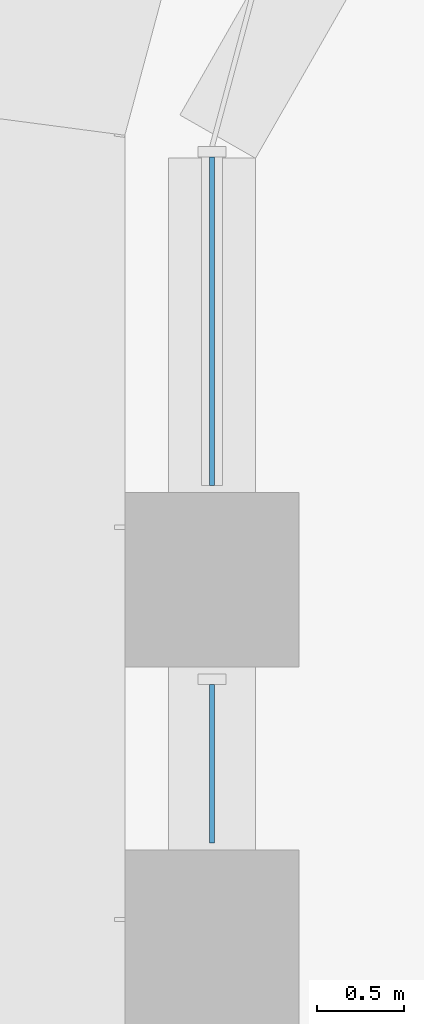
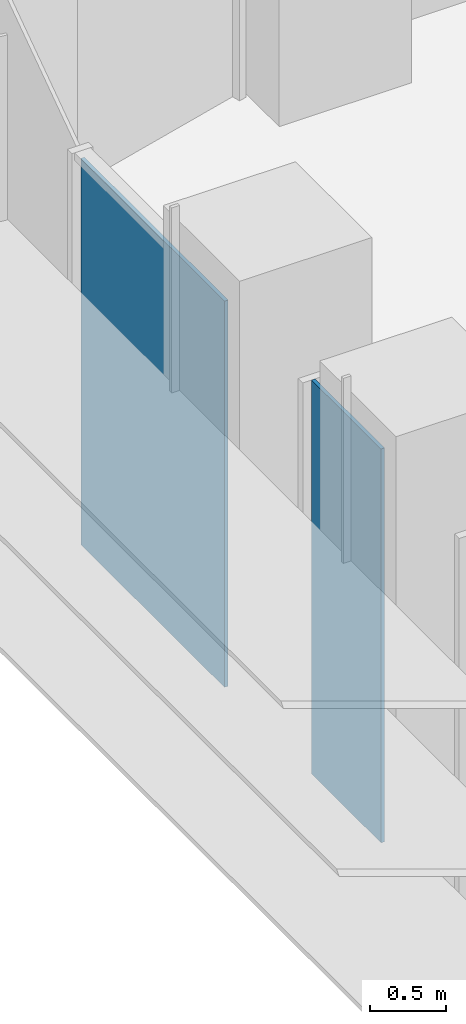
# One storey, part 14 of 23: 2 plates, 1 element without a shape of its own.
"""IFC4 building model written with IfcOpenShell, lengths in metres."""

from ifc_helpers import new_model, si_unit, direction, frame, origin, place, context, subcontext, project, spatial, polyline, outline, extrude, source, transform, mapped, material, layer, layer_set, type_object, element, aggregate, save


model = new_model("IFC4")

# Units and contexts
model_context = context("Model", 3, precision=1e-05, world=origin(), true_north=direction((0.0, 1.0)))
body_context = subcontext(model_context, "Body", "Model", "MODEL_VIEW")
ifc_project = project(units=[si_unit("LENGTHUNIT", "METRE"), si_unit("AREAUNIT", "SQUARE_METRE"), si_unit("VOLUMEUNIT", "CUBIC_METRE"), si_unit("PLANEANGLEUNIT", "RADIAN"), si_unit("MASSUNIT", "GRAM", prefix="KILO")], contexts=[model_context])

# Site, building, storey
site_placement = place(None, origin())
site = spatial("IfcSite", under=ifc_project, at=site_placement, CompositionType="ELEMENT")
building_placement = place(site_placement, origin())
building = spatial("IfcBuilding", under=site, at=building_placement, Name="Zarbagh Exchange Tower", CompositionType="ELEMENT")
storey_placement = place(building_placement, frame((0.0, 0.0, 35.39990234375)))
storey = spatial("IfcBuildingStorey", under=building, at=storey_placement, Name="L07", CompositionType="ELEMENT", Elevation=35.39990234375)

# Curtain wall, plates
ifc_material_1 = material(Name="Anodised aluminium frame and glazing", Category="aluminium")
curtain_wall_type = type_object("IfcCurtainWallType", Name="CWA Ribbon glazing, lower zones", PredefinedType="NOTDEFINED", material=ifc_material_1)
curtain_wall_placement = place(storey_placement, origin())
curtain_wall = element("IfcCurtainWall", 1, at=curtain_wall_placement, inside=storey, type_object=curtain_wall_type, Name="CWA28 curtain wall", PredefinedType="NOTDEFINED")
ifc_material_2 = material(Name="Low-e double glazed unit, 6+12+6 mm")
ifc_layer = layer(ifc_material_2, 0.028076171875)
ifc_layer_set = layer_set([ifc_layer], Name="PAA Glazing panel, Low-e double glazed unit, 6+12+6 mm")
plate_type = type_object("IfcPlateType", Name="PAA Glazing panel, Low-e double glazed unit, 6+12+6 mm", PredefinedType="CURTAIN_PANEL", material=ifc_layer_set)
shared_shape_1 = source(origin(), body_context, "Body", "SweptSolid", [
    extrude(outline(polyline([(0.0, -0.013916015625), (0.909912109375, -0.013916015625), (0.909912109375, 0.013916015625), (0.0, 0.013916015625), (0.0, -0.013916015625)])), origin(), (0.0, 0.0, 1.0), 3.14990234375),
])
placement = place(storey_placement, origin())
plate_1 = element("IfcPlate", 2, at=placement, type_object=plate_type, Name="CWA28 glazing panel 2.1", PredefinedType="CURTAIN_PANEL", context=body_context, shape_type="MappedRepresentation", body=[
    mapped(shared_shape_1, transform((-6.25, 26.099853515625, 0.0), x_axis=(0.0, -1.0, 0.0), y_axis=(1.0, 0.0, 0.0), z_axis=(0.0, 0.0, 1.0))),
])
shared_shape_2 = source(origin(), body_context, "Body", "SweptSolid", [
    extrude(outline(polyline([(0.0, -0.013916015625), (1.88427734375, -0.013916015625), (1.88427734375, 0.013916015625), (0.0, 0.013916015625), (0.0, -0.013916015625)])), origin(), (0.0, 0.0, 1.0), 3.090087890625),
])
plate_2 = element("IfcPlate", 3, at=placement, type_object=plate_type, Name="CWA28 glazing panel 1.1", PredefinedType="CURTAIN_PANEL", context=body_context, shape_type="MappedRepresentation", body=[
    mapped(shared_shape_2, transform((-6.25, 29.124267578125, 0.0), x_axis=(0.0, -1.0, 0.0), y_axis=(1.0, 0.0, 0.0), z_axis=(0.0, 0.0, 1.0))),
])
aggregate(curtain_wall, [plate_2, plate_1])

save(model, "model.ifc")
